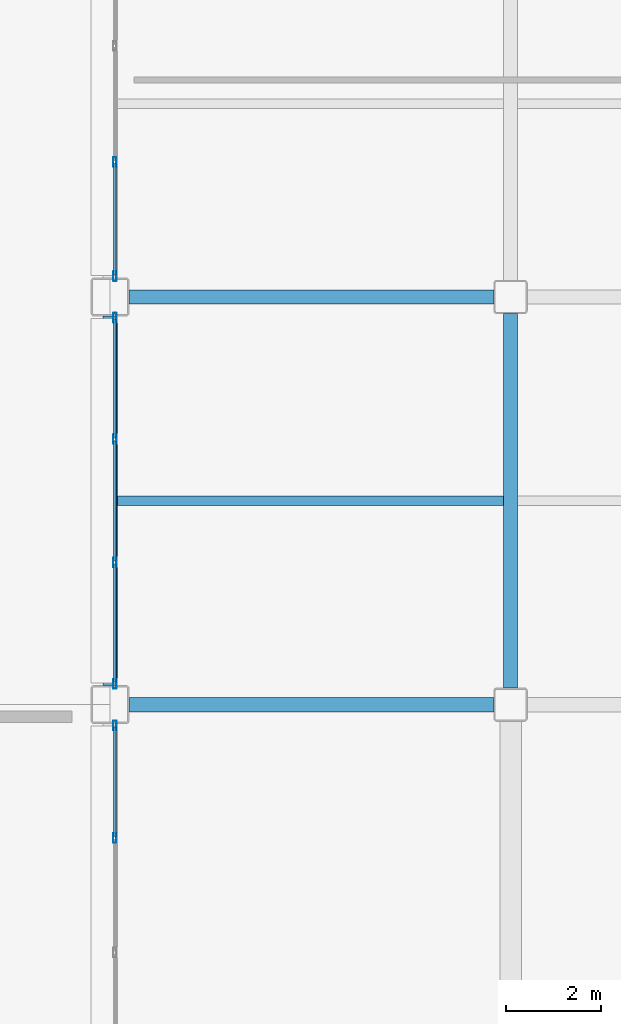
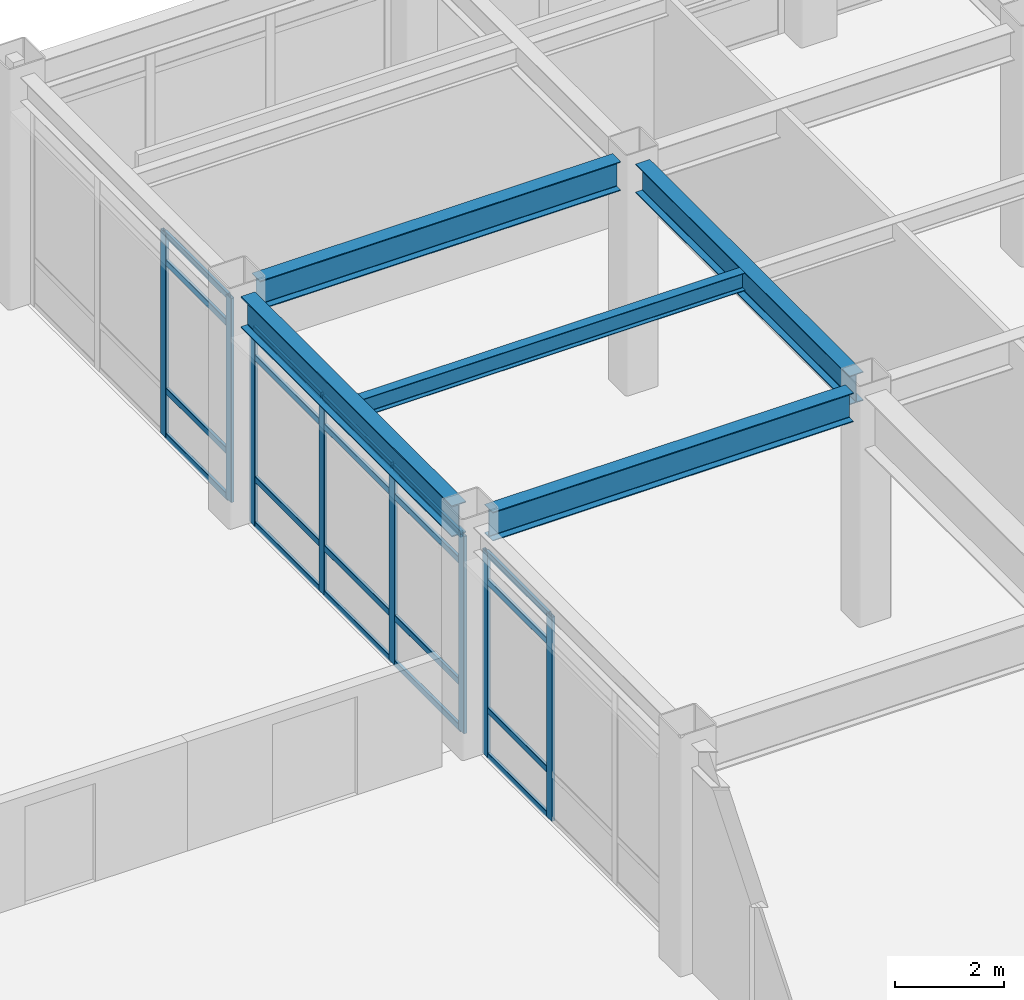
# One storey, part 105 of 165: 28 members, 5 beams, 3 elements without a shape of their own.
"""IFC4 building model written with IfcOpenShell, lengths in metres."""

from ifc_helpers import new_model, si_unit, direction, frame, origin, origin_2d, place, context, subcontext, project, spatial, hollow_rectangle, i_section, extrude, material, layer, layer_set, material_profile, profile_set, type_object, element, aggregate, save


model = new_model("IFC4")

# Units and contexts
model_context = context("Model", 3, precision=1e-05, world=origin(), true_north=direction((0.0, 1.0)))
body_context = subcontext(model_context, "Body", "Model", "MODEL_VIEW")
ifc_project = project(units=[si_unit("LENGTHUNIT", "METRE"), si_unit("AREAUNIT", "SQUARE_METRE"), si_unit("VOLUMEUNIT", "CUBIC_METRE"), si_unit("PLANEANGLEUNIT", "RADIAN"), si_unit("MASSUNIT", "GRAM", prefix="KILO")], contexts=[model_context])

# Site, building, storey
site_placement = place(None, origin())
site = spatial("IfcSite", under=ifc_project, at=site_placement, CompositionType="ELEMENT")
building_placement = place(site_placement, origin())
building = spatial("IfcBuilding", under=site, at=building_placement, Name="Kazehara Bluff Congress Hotel", CompositionType="ELEMENT")
storey_placement = place(building_placement, origin())
storey = spatial("IfcBuildingStorey", under=building, at=storey_placement, Name="L00", CompositionType="ELEMENT", Elevation=0.0)

# Curtain wall, members
ifc_material_1 = material(Name="Anodised aluminium", Category="aluminium")
ifc_layer_1 = layer(ifc_material_1, 0.159912109375)
ifc_layer_set_1 = layer_set([ifc_layer_1], Name="Anodised aluminium")
curtain_wall_type_1 = type_object("IfcCurtainWallType", Name="TP-CW-104", PredefinedType="NOTDEFINED", material=ifc_layer_set_1)
curtain_wall_1_placement = place(storey_placement, origin())
curtain_wall_1 = element("IfcCurtainWall", 1, at=curtain_wall_1_placement, inside=storey, type_object=curtain_wall_type_1, Name="L00 curtain wall CW-104 CW-ENC-V5-L00-14380-9290", PredefinedType="NOTDEFINED")
ifc_material_2 = material(Name="Anodised aluminium", Category="aluminium")
ifc_material_profile_1 = material_profile(ifc_material_2, hollow_rectangle(XDim=0.070068359375, YDim=0.199951171875, WallThickness=0.0048828125, InnerFilletRadius=0.0048828125, OuterFilletRadius=0.010009765625, at=origin_2d()))
ifc_profile_set_1 = profile_set([ifc_material_profile_1], Name="Anodised aluminium")
member_type_1 = type_object("IfcMemberType", Name="TP-CWM-03", PredefinedType="MULLION", material=ifc_profile_set_1)
member_1_placement = place(storey_placement, frame((143.800048828125, 94.10009765625, 0.0), z_axis=(0.0, 0.0, 1.0), x_axis=(-1.0, 0.0, 0.0)))
member_1 = element("IfcMember", 2, at=member_1_placement, type_object=member_type_1, Name="CW-104 mullion 3", PredefinedType="MULLION", context=body_context, shape_type="SweptSolid", body=[
    extrude(hollow_rectangle(XDim=0.070068359375, YDim=0.199951171875, WallThickness=0.0048828125, InnerFilletRadius=0.0048828125, OuterFilletRadius=0.010009765625, at=origin_2d()), origin(), (0.0, 0.0, 1.0), 4.574951171875),
])
member_2_placement = place(storey_placement, frame((143.800048828125, 96.465087890625, 0.0), z_axis=(0.0, 0.0, 1.0), x_axis=(-1.0, 0.0, 0.0)))
member_2 = element("IfcMember", 3, at=member_2_placement, type_object=member_type_1, Name="CW-104 mullion 4", PredefinedType="MULLION", context=body_context, shape_type="SweptSolid", body=[
    extrude(hollow_rectangle(XDim=0.070068359375, YDim=0.199951171875, WallThickness=0.0048828125, InnerFilletRadius=0.0048828125, OuterFilletRadius=0.010009765625, at=origin_2d()), origin(), (0.0, 0.0, 1.0), 4.574951171875),
])

ifc_material_3 = material(Name="Anodised aluminium", Category="aluminium")
ifc_layer_2 = layer(ifc_material_3, 0.159912109375)
ifc_layer_set_2 = layer_set([ifc_layer_2], Name="Anodised aluminium")
curtain_wall_type_2 = type_object("IfcCurtainWallType", Name="TP-CW-105", PredefinedType="NOTDEFINED", material=ifc_layer_set_2)
curtain_wall_2_placement = place(storey_placement, origin())
curtain_wall_2 = element("IfcCurtainWall", 4, at=curtain_wall_2_placement, inside=storey, type_object=curtain_wall_type_2, Name="L00 curtain wall CW-105 CW-ENC-V5-L00-14380-10118", PredefinedType="NOTDEFINED")
member_3_placement = place(storey_placement, frame((143.800048828125, 97.3349609375, 0.0), z_axis=(0.0, 0.0, 1.0), x_axis=(-1.0, 0.0, 0.0)))
member_3 = element("IfcMember", 5, at=member_3_placement, type_object=member_type_1, Name="CW-105 mullion 1", PredefinedType="MULLION", context=body_context, shape_type="SweptSolid", body=[
    extrude(hollow_rectangle(XDim=0.070068359375, YDim=0.199951171875, WallThickness=0.0048828125, InnerFilletRadius=0.0048828125, OuterFilletRadius=0.010009765625, at=origin_2d()), origin(), (0.0, 0.0, 1.0), 4.425048828125),
])
member_4_placement = place(storey_placement, frame((143.800048828125, 99.88330078125, 0.0), z_axis=(0.0, 0.0, 1.0), x_axis=(-1.0, 0.0, 0.0)))
member_4 = element("IfcMember", 6, at=member_4_placement, type_object=member_type_1, Name="CW-105 mullion 2", PredefinedType="MULLION", context=body_context, shape_type="SweptSolid", body=[
    extrude(hollow_rectangle(XDim=0.070068359375, YDim=0.199951171875, WallThickness=0.0048828125, InnerFilletRadius=0.0048828125, OuterFilletRadius=0.010009765625, at=origin_2d()), origin(), (0.0, 0.0, 1.0), 4.425048828125),
])
member_5_placement = place(storey_placement, frame((143.800048828125, 102.466552734375, 0.0), z_axis=(0.0, 0.0, 1.0), x_axis=(-1.0, 0.0, 0.0)))
member_5 = element("IfcMember", 7, at=member_5_placement, type_object=member_type_1, Name="CW-105 mullion 3", PredefinedType="MULLION", context=body_context, shape_type="SweptSolid", body=[
    extrude(hollow_rectangle(XDim=0.070068359375, YDim=0.199951171875, WallThickness=0.0048828125, InnerFilletRadius=0.0048828125, OuterFilletRadius=0.010009765625, at=origin_2d()), origin(), (0.0, 0.0, 1.0), 4.425048828125),
])
member_6_placement = place(storey_placement, frame((143.800048828125, 105.014892578125, 0.0), z_axis=(0.0, 0.0, 1.0), x_axis=(-1.0, 0.0, 0.0)))
member_6 = element("IfcMember", 8, at=member_6_placement, type_object=member_type_1, Name="CW-105 mullion 4", PredefinedType="MULLION", context=body_context, shape_type="SweptSolid", body=[
    extrude(hollow_rectangle(XDim=0.070068359375, YDim=0.199951171875, WallThickness=0.0048828125, InnerFilletRadius=0.0048828125, OuterFilletRadius=0.010009765625, at=origin_2d()), origin(), (0.0, 0.0, 1.0), 4.425048828125),
])

ifc_material_4 = material(Name="Anodised aluminium", Category="aluminium")
ifc_layer_3 = layer(ifc_material_4, 0.159912109375)
ifc_layer_set_3 = layer_set([ifc_layer_3], Name="Anodised aluminium")
curtain_wall_type_3 = type_object("IfcCurtainWallType", Name="TP-CW-106", PredefinedType="NOTDEFINED", material=ifc_layer_set_3)
curtain_wall_3_placement = place(storey_placement, origin())
curtain_wall_3 = element("IfcCurtainWall", 9, at=curtain_wall_3_placement, inside=storey, type_object=curtain_wall_type_3, Name="L00 curtain wall CW-106 CW-ENC-V5-L00-14380-10950", PredefinedType="NOTDEFINED")
member_7_placement = place(storey_placement, frame((143.800048828125, 105.885009765625, 0.0), z_axis=(0.0, 0.0, 1.0), x_axis=(-1.0, 0.0, 0.0)))
member_7 = element("IfcMember", 10, at=member_7_placement, type_object=member_type_1, Name="CW-106 mullion 1", PredefinedType="MULLION", context=body_context, shape_type="SweptSolid", body=[
    extrude(hollow_rectangle(XDim=0.070068359375, YDim=0.199951171875, WallThickness=0.0048828125, InnerFilletRadius=0.0048828125, OuterFilletRadius=0.010009765625, at=origin_2d()), origin(), (0.0, 0.0, 1.0), 4.574951171875),
])
member_8_placement = place(storey_placement, frame((143.800048828125, 108.283447265625, 0.0), z_axis=(0.0, 0.0, 1.0), x_axis=(-1.0, 0.0, 0.0)))
member_8 = element("IfcMember", 11, at=member_8_placement, type_object=member_type_1, Name="CW-106 mullion 2", PredefinedType="MULLION", context=body_context, shape_type="SweptSolid", body=[
    extrude(hollow_rectangle(XDim=0.070068359375, YDim=0.199951171875, WallThickness=0.0048828125, InnerFilletRadius=0.0048828125, OuterFilletRadius=0.010009765625, at=origin_2d()), origin(), (0.0, 0.0, 1.0), 4.574951171875),
])

# Member
ifc_material_5 = material(Name="Anodised aluminium", Category="aluminium")
ifc_material_profile_2 = material_profile(ifc_material_5, hollow_rectangle(XDim=0.06494140625, YDim=0.139892578125, WallThickness=0.00390625, InnerFilletRadius=0.00390625, OuterFilletRadius=0.008056640625, at=origin_2d()))
ifc_profile_set_2 = profile_set([ifc_material_profile_2], Name="Anodised aluminium")
member_type_2 = type_object("IfcMemberType", Name="TP-CWT-02", PredefinedType="USERDEFINED", material=ifc_profile_set_2)
member_9_placement = place(storey_placement, frame((143.800048828125, 94.135009765625, 0.032470703125), z_axis=(0.0, 1.0, 0.0), x_axis=(-1.0, 0.0, 0.0)))
member_9 = element("IfcMember", 12, at=member_9_placement, type_object=member_type_2, Name="CW-104 transom 3.1", ObjectType="TRANSOM", PredefinedType="USERDEFINED", context=body_context, shape_type="SweptSolid", body=[
    extrude(hollow_rectangle(XDim=0.06494140625, YDim=0.139892578125, WallThickness=0.00390625, InnerFilletRadius=0.00390625, OuterFilletRadius=0.008056640625, at=origin_2d()), origin(), (0.0, 0.0, 1.0), 2.294921875),
])

member_10_placement = place(storey_placement, frame((143.800048828125, 94.135009765625, 1.050048828125), z_axis=(0.0, 1.0, 0.0), x_axis=(-1.0, 0.0, 0.0)))
member_10 = element("IfcMember", 13, at=member_10_placement, type_object=member_type_2, Name="CW-104 transom 3.2", ObjectType="TRANSOM", PredefinedType="USERDEFINED", context=body_context, shape_type="SweptSolid", body=[
    extrude(hollow_rectangle(XDim=0.06494140625, YDim=0.139892578125, WallThickness=0.00390625, InnerFilletRadius=0.00390625, OuterFilletRadius=0.008056640625, at=origin_2d()), origin(), (0.0, 0.0, 1.0), 2.294921875),
])

member_11_placement = place(storey_placement, frame((143.800048828125, 94.135009765625, 3.925048828125), z_axis=(0.0, 1.0, 0.0), x_axis=(-1.0, 0.0, 0.0)))
member_11 = element("IfcMember", 14, at=member_11_placement, type_object=member_type_2, Name="CW-104 transom 3.3", ObjectType="TRANSOM", PredefinedType="USERDEFINED", context=body_context, shape_type="SweptSolid", body=[
    extrude(hollow_rectangle(XDim=0.06494140625, YDim=0.139892578125, WallThickness=0.00390625, InnerFilletRadius=0.00390625, OuterFilletRadius=0.008056640625, at=origin_2d()), origin(), (0.0, 0.0, 1.0), 2.294921875),
])

member_12_placement = place(storey_placement, frame((143.800048828125, 94.135009765625, 4.54248046875), z_axis=(0.0, 1.0, 0.0), x_axis=(-1.0, 0.0, 0.0)))
member_12 = element("IfcMember", 15, at=member_12_placement, type_object=member_type_2, Name="CW-104 transom 3.4", ObjectType="TRANSOM", PredefinedType="USERDEFINED", context=body_context, shape_type="SweptSolid", body=[
    extrude(hollow_rectangle(XDim=0.06494140625, YDim=0.139892578125, WallThickness=0.00390625, InnerFilletRadius=0.00390625, OuterFilletRadius=0.008056640625, at=origin_2d()), origin(), (0.0, 0.0, 1.0), 2.294921875),
])

aggregate(curtain_wall_1, [member_1, member_2, member_9, member_10, member_11, member_12])

member_13_placement = place(storey_placement, frame((143.800048828125, 97.3701171875, 0.032470703125), z_axis=(0.0, 1.0, 0.0), x_axis=(-1.0, 0.0, 0.0)))
member_13 = element("IfcMember", 16, at=member_13_placement, type_object=member_type_2, Name="CW-105 transom 1.1", ObjectType="TRANSOM", PredefinedType="USERDEFINED", context=body_context, shape_type="SweptSolid", body=[
    extrude(hollow_rectangle(XDim=0.06494140625, YDim=0.139892578125, WallThickness=0.00390625, InnerFilletRadius=0.00390625, OuterFilletRadius=0.008056640625, at=origin_2d()), origin(), (0.0, 0.0, 1.0), 2.478271484375),
])

member_14_placement = place(storey_placement, frame((143.800048828125, 97.3701171875, 1.050048828125), z_axis=(0.0, 1.0, 0.0), x_axis=(-1.0, 0.0, 0.0)))
member_14 = element("IfcMember", 17, at=member_14_placement, type_object=member_type_2, Name="CW-105 transom 1.2", ObjectType="TRANSOM", PredefinedType="USERDEFINED", context=body_context, shape_type="SweptSolid", body=[
    extrude(hollow_rectangle(XDim=0.06494140625, YDim=0.139892578125, WallThickness=0.00390625, InnerFilletRadius=0.00390625, OuterFilletRadius=0.008056640625, at=origin_2d()), origin(), (0.0, 0.0, 1.0), 2.478271484375),
])

member_15_placement = place(storey_placement, frame((143.800048828125, 97.3701171875, 3.77490234375), z_axis=(0.0, 1.0, 0.0), x_axis=(-1.0, 0.0, 0.0)))
member_15 = element("IfcMember", 18, at=member_15_placement, type_object=member_type_2, Name="CW-105 transom 1.3", ObjectType="TRANSOM", PredefinedType="USERDEFINED", context=body_context, shape_type="SweptSolid", body=[
    extrude(hollow_rectangle(XDim=0.06494140625, YDim=0.139892578125, WallThickness=0.00390625, InnerFilletRadius=0.00390625, OuterFilletRadius=0.008056640625, at=origin_2d()), origin(), (0.0, 0.0, 1.0), 2.478271484375),
])

member_16_placement = place(storey_placement, frame((143.800048828125, 97.3701171875, 4.392578125), z_axis=(0.0, 1.0, 0.0), x_axis=(-1.0, 0.0, 0.0)))
member_16 = element("IfcMember", 19, at=member_16_placement, type_object=member_type_2, Name="CW-105 transom 1.4", ObjectType="TRANSOM", PredefinedType="USERDEFINED", context=body_context, shape_type="SweptSolid", body=[
    extrude(hollow_rectangle(XDim=0.06494140625, YDim=0.139892578125, WallThickness=0.00390625, InnerFilletRadius=0.00390625, OuterFilletRadius=0.008056640625, at=origin_2d()), origin(), (0.0, 0.0, 1.0), 2.478271484375),
])

member_17_placement = place(storey_placement, frame((143.800048828125, 99.918212890625, 0.032470703125), z_axis=(0.0, 1.0, 0.0), x_axis=(-1.0, 0.0, 0.0)))
member_17 = element("IfcMember", 20, at=member_17_placement, type_object=member_type_2, Name="CW-105 transom 2.1", ObjectType="TRANSOM", PredefinedType="USERDEFINED", context=body_context, shape_type="SweptSolid", body=[
    extrude(hollow_rectangle(XDim=0.06494140625, YDim=0.139892578125, WallThickness=0.00390625, InnerFilletRadius=0.00390625, OuterFilletRadius=0.008056640625, at=origin_2d()), origin(), (0.0, 0.0, 1.0), 2.513427734375),
])

member_18_placement = place(storey_placement, frame((143.800048828125, 99.918212890625, 1.050048828125), z_axis=(0.0, 1.0, 0.0), x_axis=(-1.0, 0.0, 0.0)))
member_18 = element("IfcMember", 21, at=member_18_placement, type_object=member_type_2, Name="CW-105 transom 2.2", ObjectType="TRANSOM", PredefinedType="USERDEFINED", context=body_context, shape_type="SweptSolid", body=[
    extrude(hollow_rectangle(XDim=0.06494140625, YDim=0.139892578125, WallThickness=0.00390625, InnerFilletRadius=0.00390625, OuterFilletRadius=0.008056640625, at=origin_2d()), origin(), (0.0, 0.0, 1.0), 2.513427734375),
])

member_19_placement = place(storey_placement, frame((143.800048828125, 99.918212890625, 3.77490234375), z_axis=(0.0, 1.0, 0.0), x_axis=(-1.0, 0.0, 0.0)))
member_19 = element("IfcMember", 22, at=member_19_placement, type_object=member_type_2, Name="CW-105 transom 2.3", ObjectType="TRANSOM", PredefinedType="USERDEFINED", context=body_context, shape_type="SweptSolid", body=[
    extrude(hollow_rectangle(XDim=0.06494140625, YDim=0.139892578125, WallThickness=0.00390625, InnerFilletRadius=0.00390625, OuterFilletRadius=0.008056640625, at=origin_2d()), origin(), (0.0, 0.0, 1.0), 2.513427734375),
])

member_20_placement = place(storey_placement, frame((143.800048828125, 99.918212890625, 4.392578125), z_axis=(0.0, 1.0, 0.0), x_axis=(-1.0, 0.0, 0.0)))
member_20 = element("IfcMember", 23, at=member_20_placement, type_object=member_type_2, Name="CW-105 transom 2.4", ObjectType="TRANSOM", PredefinedType="USERDEFINED", context=body_context, shape_type="SweptSolid", body=[
    extrude(hollow_rectangle(XDim=0.06494140625, YDim=0.139892578125, WallThickness=0.00390625, InnerFilletRadius=0.00390625, OuterFilletRadius=0.008056640625, at=origin_2d()), origin(), (0.0, 0.0, 1.0), 2.513427734375),
])

member_21_placement = place(storey_placement, frame((143.800048828125, 102.501708984375, 0.032470703125), z_axis=(0.0, 1.0, 0.0), x_axis=(-1.0, 0.0, 0.0)))
member_21 = element("IfcMember", 24, at=member_21_placement, type_object=member_type_2, Name="CW-105 transom 3.1", ObjectType="TRANSOM", PredefinedType="USERDEFINED", context=body_context, shape_type="SweptSolid", body=[
    extrude(hollow_rectangle(XDim=0.06494140625, YDim=0.139892578125, WallThickness=0.00390625, InnerFilletRadius=0.00390625, OuterFilletRadius=0.008056640625, at=origin_2d()), origin(), (0.0, 0.0, 1.0), 2.478271484375),
])

member_22_placement = place(storey_placement, frame((143.800048828125, 102.501708984375, 1.050048828125), z_axis=(0.0, 1.0, 0.0), x_axis=(-1.0, 0.0, 0.0)))
member_22 = element("IfcMember", 25, at=member_22_placement, type_object=member_type_2, Name="CW-105 transom 3.2", ObjectType="TRANSOM", PredefinedType="USERDEFINED", context=body_context, shape_type="SweptSolid", body=[
    extrude(hollow_rectangle(XDim=0.06494140625, YDim=0.139892578125, WallThickness=0.00390625, InnerFilletRadius=0.00390625, OuterFilletRadius=0.008056640625, at=origin_2d()), origin(), (0.0, 0.0, 1.0), 2.478271484375),
])

member_23_placement = place(storey_placement, frame((143.800048828125, 102.501708984375, 3.77490234375), z_axis=(0.0, 1.0, 0.0), x_axis=(-1.0, 0.0, 0.0)))
member_23 = element("IfcMember", 26, at=member_23_placement, type_object=member_type_2, Name="CW-105 transom 3.3", ObjectType="TRANSOM", PredefinedType="USERDEFINED", context=body_context, shape_type="SweptSolid", body=[
    extrude(hollow_rectangle(XDim=0.06494140625, YDim=0.139892578125, WallThickness=0.00390625, InnerFilletRadius=0.00390625, OuterFilletRadius=0.008056640625, at=origin_2d()), origin(), (0.0, 0.0, 1.0), 2.478271484375),
])

member_24_placement = place(storey_placement, frame((143.800048828125, 102.501708984375, 4.392578125), z_axis=(0.0, 1.0, 0.0), x_axis=(-1.0, 0.0, 0.0)))
member_24 = element("IfcMember", 27, at=member_24_placement, type_object=member_type_2, Name="CW-105 transom 3.4", ObjectType="TRANSOM", PredefinedType="USERDEFINED", context=body_context, shape_type="SweptSolid", body=[
    extrude(hollow_rectangle(XDim=0.06494140625, YDim=0.139892578125, WallThickness=0.00390625, InnerFilletRadius=0.00390625, OuterFilletRadius=0.008056640625, at=origin_2d()), origin(), (0.0, 0.0, 1.0), 2.478271484375),
])

aggregate(curtain_wall_2, [member_3, member_4, member_5, member_6, member_13, member_14, member_15, member_16, member_17, member_18, member_19, member_20, member_21, member_22, member_23, member_24])

member_25_placement = place(storey_placement, frame((143.800048828125, 105.919921875, 0.032470703125), z_axis=(0.0, 1.0, 0.0), x_axis=(-1.0, 0.0, 0.0)))
member_25 = element("IfcMember", 28, at=member_25_placement, type_object=member_type_2, Name="CW-106 transom 1.1", ObjectType="TRANSOM", PredefinedType="USERDEFINED", context=body_context, shape_type="SweptSolid", body=[
    extrude(hollow_rectangle(XDim=0.06494140625, YDim=0.139892578125, WallThickness=0.00390625, InnerFilletRadius=0.00390625, OuterFilletRadius=0.008056640625, at=origin_2d()), origin(), (0.0, 0.0, 1.0), 2.328369140625),
])

member_26_placement = place(storey_placement, frame((143.800048828125, 105.919921875, 1.050048828125), z_axis=(0.0, 1.0, 0.0), x_axis=(-1.0, 0.0, 0.0)))
member_26 = element("IfcMember", 29, at=member_26_placement, type_object=member_type_2, Name="CW-106 transom 1.2", ObjectType="TRANSOM", PredefinedType="USERDEFINED", context=body_context, shape_type="SweptSolid", body=[
    extrude(hollow_rectangle(XDim=0.06494140625, YDim=0.139892578125, WallThickness=0.00390625, InnerFilletRadius=0.00390625, OuterFilletRadius=0.008056640625, at=origin_2d()), origin(), (0.0, 0.0, 1.0), 2.328369140625),
])

member_27_placement = place(storey_placement, frame((143.800048828125, 105.919921875, 3.925048828125), z_axis=(0.0, 1.0, 0.0), x_axis=(-1.0, 0.0, 0.0)))
member_27 = element("IfcMember", 30, at=member_27_placement, type_object=member_type_2, Name="CW-106 transom 1.3", ObjectType="TRANSOM", PredefinedType="USERDEFINED", context=body_context, shape_type="SweptSolid", body=[
    extrude(hollow_rectangle(XDim=0.06494140625, YDim=0.139892578125, WallThickness=0.00390625, InnerFilletRadius=0.00390625, OuterFilletRadius=0.008056640625, at=origin_2d()), origin(), (0.0, 0.0, 1.0), 2.328369140625),
])

member_28_placement = place(storey_placement, frame((143.800048828125, 105.919921875, 4.54248046875), z_axis=(0.0, 1.0, 0.0), x_axis=(-1.0, 0.0, 0.0)))
member_28 = element("IfcMember", 31, at=member_28_placement, type_object=member_type_2, Name="CW-106 transom 1.4", ObjectType="TRANSOM", PredefinedType="USERDEFINED", context=body_context, shape_type="SweptSolid", body=[
    extrude(hollow_rectangle(XDim=0.06494140625, YDim=0.139892578125, WallThickness=0.00390625, InnerFilletRadius=0.00390625, OuterFilletRadius=0.008056640625, at=origin_2d()), origin(), (0.0, 0.0, 1.0), 2.328369140625),
])

aggregate(curtain_wall_3, [member_7, member_8, member_25, member_26, member_27, member_28])

# Beams
ifc_material_6 = material(Name="Steel SN490B", Category="steel")
ifc_material_profile_3 = material_profile(ifc_material_6, i_section(OverallWidth=0.300048828125, OverallDepth=0.64990234375, WebThickness=0.011962890625, FlangeThickness=0.02001953125, FilletRadius=0.012939453125, at=origin_2d()))
ifc_profile_set_3 = profile_set([ifc_material_profile_3], Name="Steel SN490B")
beam_type_1 = type_object("IfcBeamType", Name="TP-G-03", PredefinedType="BEAM", material=ifc_profile_set_3)
beam_1_placement = place(storey_placement, frame((152.10009765625, 97.25, 4.824951171875), z_axis=(0.0, 1.0, 0.0), x_axis=(-1.0, 0.0, 0.0)))
element("IfcBeam", 32, at=beam_1_placement, inside=storey, type_object=beam_type_1, Name="L00 girder G-03 247", PredefinedType="BEAM", context=body_context, shape_type="SweptSolid", body=[
    extrude(i_section(OverallWidth=0.300048828125, OverallDepth=0.64990234375, WebThickness=0.011962890625, FlangeThickness=0.02001953125, FilletRadius=0.012939453125, at=origin_2d()), origin(), (0.0, 0.0, 1.0), 7.85009765625),
])
for number, where, z_axis, x_axis, name in (
    (33, (144.10009765625, 96.89990234375, 4.824951171875), (1.0, 0.0, 0.0), (0.0, 1.0, 0.0), "L00 girder G-03 310"),
    (34, (144.10009765625, 105.449951171875, 4.824951171875), (1.0, 0.0, 0.0), (0.0, 1.0, 0.0), "L00 girder G-03 313"),
):
    element("IfcBeam", number, at=place(storey_placement, frame(where, z_axis=z_axis, x_axis=x_axis)), inside=storey, type_object=beam_type_1, Name=name, PredefinedType="BEAM", context=body_context, shape_type="SweptSolid", body=[
        extrude(i_section(OverallWidth=0.300048828125, OverallDepth=0.64990234375, WebThickness=0.011962890625, FlangeThickness=0.02001953125, FilletRadius=0.012939453125, at=origin_2d()), origin(), (0.0, 0.0, 1.0), 7.64990234375),
    ])
ifc_material_7 = material(Name="Steel SN400B", Category="steel")
ifc_material_profile_4 = material_profile(ifc_material_7, i_section(OverallWidth=0.199951171875, OverallDepth=0.39990234375, WebThickness=0.008056640625, FlangeThickness=0.012939453125, FilletRadius=0.012939453125, at=origin_2d()))
ifc_profile_set_4 = profile_set([ifc_material_profile_4], Name="Steel SN400B")
beam_type_2 = type_object("IfcBeamType", Name="TP-J-03", PredefinedType="JOIST", material=ifc_profile_set_4)
beam_2_placement = place(storey_placement, frame((143.85009765625, 101.175048828125, 4.949951171875), z_axis=(1.0, 0.0, 0.0), x_axis=(0.0, 1.0, 0.0)))
element("IfcBeam", 35, at=beam_2_placement, inside=storey, type_object=beam_type_2, Name="L00 secondary joist J-03 63", PredefinedType="JOIST", context=body_context, shape_type="SweptSolid", body=[
    extrude(i_section(OverallWidth=0.199951171875, OverallDepth=0.39990234375, WebThickness=0.008056640625, FlangeThickness=0.012939453125, FilletRadius=0.012939453125, at=origin_2d()), origin(), (0.0, 0.0, 1.0), 8.099853515625),
])
ifc_material_8 = material(Name="Steel SN490B", Category="steel")
ifc_material_profile_5 = material_profile(ifc_material_8, i_section(OverallWidth=0.300048828125, OverallDepth=0.699951171875, WebThickness=0.012939453125, FlangeThickness=0.02392578125, FilletRadius=0.01806640625, at=origin_2d()))
ifc_profile_set_5 = profile_set([ifc_material_profile_5], Name="Steel SN490B")
beam_type_3 = type_object("IfcBeamType", Name="TP-SP-03", PredefinedType="SPANDREL", material=ifc_profile_set_5)
beam_3_placement = place(storey_placement, frame((143.699951171875, 97.300048828125, 4.800048828125), z_axis=(0.0, 1.0, 0.0), x_axis=(-1.0, 0.0, 0.0)))
element("IfcBeam", 36, at=beam_3_placement, inside=storey, type_object=beam_type_3, Name="L00 girder SP-03 240", PredefinedType="SPANDREL", context=body_context, shape_type="SweptSolid", body=[
    extrude(i_section(OverallWidth=0.300048828125, OverallDepth=0.699951171875, WebThickness=0.012939453125, FlangeThickness=0.02392578125, FilletRadius=0.01806640625, at=origin_2d()), origin(), (0.0, 0.0, 1.0), 7.75),
])

save(model, "model.ifc")
